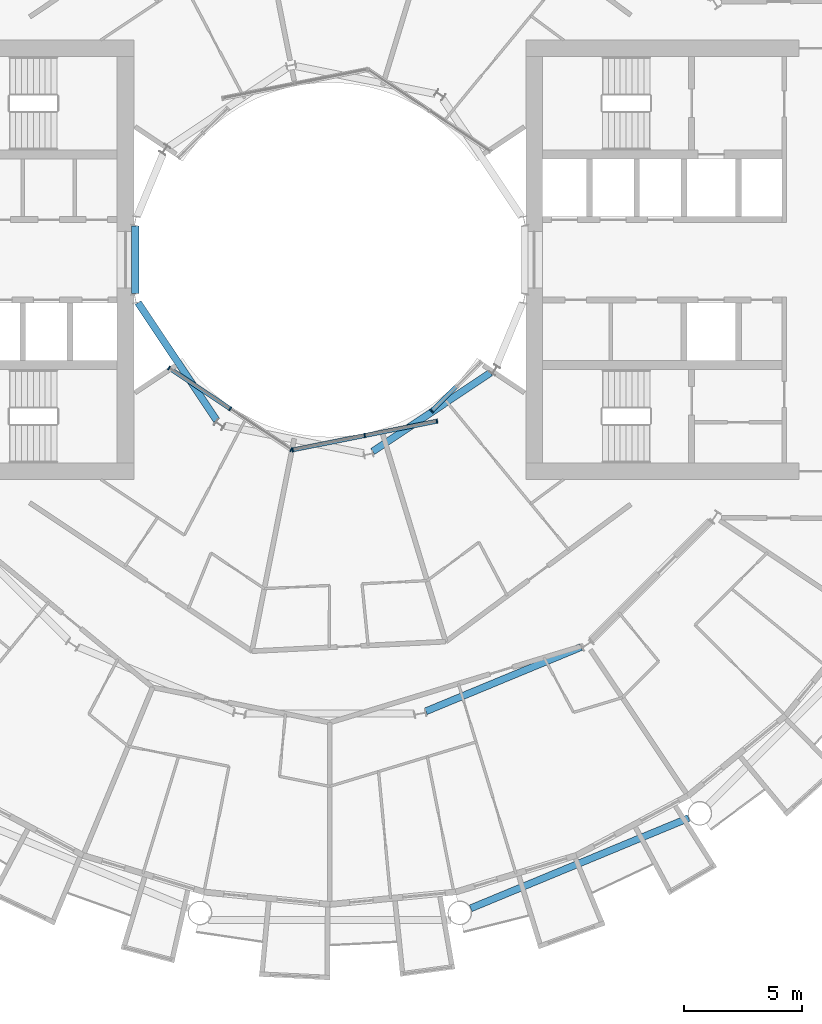
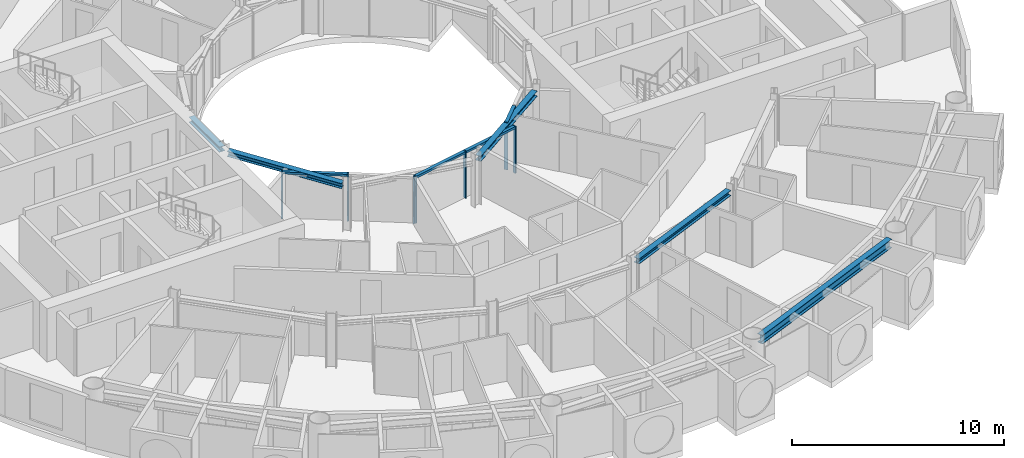
# One storey, part 5 of 26: 11 members, 5 beams, 3 elements without a shape of their own.
"""IFC4 building model written with IfcOpenShell, lengths in metres."""

from ifc_helpers import new_model, si_unit, direction, frame, origin, origin_2d, place, context, subcontext, project, spatial, rectangle, i_section, extrude, material, layer, layer_set, material_profile, profile_set, type_object, element, aggregate, save


model = new_model("IFC4")

# Units and contexts
model_context = context("Model", 3, precision=1e-05, world=origin(), true_north=direction((0.0, 1.0)))
body_context = subcontext(model_context, "Body", "Model", "MODEL_VIEW")
ifc_project = project(units=[si_unit("LENGTHUNIT", "METRE"), si_unit("AREAUNIT", "SQUARE_METRE"), si_unit("VOLUMEUNIT", "CUBIC_METRE"), si_unit("PLANEANGLEUNIT", "RADIAN"), si_unit("MASSUNIT", "GRAM", prefix="KILO")], contexts=[model_context])

# Site, building, storey
site_placement = place(None, origin())
site = spatial("IfcSite", under=ifc_project, at=site_placement, CompositionType="ELEMENT")
building_placement = place(site_placement, origin())
building = spatial("IfcBuilding", under=site, at=building_placement, Name="Maasbend Ring Residences", CompositionType="ELEMENT")
storey_placement = place(building_placement, frame((0.0, 0.0, 88.0)))
storey = spatial("IfcBuildingStorey", under=building, at=storey_placement, Name="L25", CompositionType="ELEMENT", Elevation=88.0)

# Curtain wall, members
ifc_material_1 = material(Name="Aluminium and clear glass", Category="aluminium")
ifc_layer = layer(ifc_material_1, 0.179931640625)
ifc_layer_set = layer_set([ifc_layer], Name="CW-W")
curtain_wall_type = type_object("IfcCurtainWallType", Name="CW-W", PredefinedType="NOTDEFINED", material=ifc_layer_set)
curtain_wall_1_placement = place(storey_placement, origin())
curtain_wall_1 = element("IfcCurtainWall", 1, at=curtain_wall_1_placement, inside=storey, type_object=curtain_wall_type, Name="Well curtain wall S1", PredefinedType="NOTDEFINED")
ifc_material_2 = material(Name="Aluminium 6063-T6", Category="aluminium")
ifc_material_profile_1 = material_profile(ifc_material_2, rectangle(XDim=0.179931640625, YDim=0.06005859375, at=origin_2d()), Name="AL 180x60")
ifc_profile_set_1 = profile_set([ifc_material_profile_1], Name="Aluminium 6063-T6")
member_type_1 = type_object("IfcMemberType", Name="CWM-W", PredefinedType="MULLION", material=ifc_profile_set_1)
member_1_placement = place(storey_placement, frame((-6.805908203125, -4.580810546875, 0.0), z_axis=(0.0, 0.0, 1.0), x_axis=(0.55557023302, 0.831469612303, 0.0)))
member_1 = element("IfcMember", 2, at=member_1_placement, type_object=member_type_1, Name="Mullion well face", PredefinedType="MULLION", context=body_context, shape_type="SweptSolid", body=[
    extrude(rectangle(XDim=0.179931640625, YDim=0.06005859375, at=origin_2d()), origin(), (0.0, 0.0, 1.0), 2.699951171875),
])
member_2_placement = place(storey_placement, frame((-4.216796875, -6.310791015625, 0.0), z_axis=(0.0, 0.0, 1.0), x_axis=(0.55557023302, 0.831469612303, 0.0)))
member_2 = element("IfcMember", 3, at=member_2_placement, type_object=member_type_1, Name="Mullion well face", PredefinedType="MULLION", context=body_context, shape_type="SweptSolid", body=[
    extrude(rectangle(XDim=0.179931640625, YDim=0.06005859375, at=origin_2d()), origin(), (0.0, 0.0, 1.0), 2.699951171875),
])
member_3_placement = place(storey_placement, frame((-1.627685546875, -8.040771484375, 0.0), z_axis=(0.0, 0.0, 1.0), x_axis=(0.55557023302, 0.831469612303, 0.0)))
member_3 = element("IfcMember", 4, at=member_3_placement, type_object=member_type_1, Name="Mullion well face", PredefinedType="MULLION", context=body_context, shape_type="SweptSolid", body=[
    extrude(rectangle(XDim=0.179931640625, YDim=0.06005859375, at=origin_2d()), origin(), (0.0, 0.0, 1.0), 2.699951171875),
])

curtain_wall_2_placement = place(storey_placement, origin())
curtain_wall_2 = element("IfcCurtainWall", 5, at=curtain_wall_2_placement, inside=storey, type_object=curtain_wall_type, Name="Well curtain wall S2", PredefinedType="NOTDEFINED")
member_4_placement = place(storey_placement, frame((-1.5732421875, -8.0517578125, 0.0), z_axis=(0.0, 0.0, 1.0), x_axis=(-0.195090322016, 0.980785280403, 0.0)))
member_4 = element("IfcMember", 6, at=member_4_placement, type_object=member_type_1, Name="Mullion well face", PredefinedType="MULLION", context=body_context, shape_type="SweptSolid", body=[
    extrude(rectangle(XDim=0.179931640625, YDim=0.06005859375, at=origin_2d()), origin(), (0.0, 0.0, 1.0), 2.699951171875),
])
member_5_placement = place(storey_placement, frame((1.480712890625, -7.444091796875, 0.0), z_axis=(0.0, 0.0, 1.0), x_axis=(-0.195090322016, 0.980785280403, 0.0)))
member_5 = element("IfcMember", 7, at=member_5_placement, type_object=member_type_1, Name="Mullion well face", PredefinedType="MULLION", context=body_context, shape_type="SweptSolid", body=[
    extrude(rectangle(XDim=0.179931640625, YDim=0.06005859375, at=origin_2d()), origin(), (0.0, 0.0, 1.0), 2.699951171875),
])
member_6_placement = place(storey_placement, frame((4.53466796875, -6.836669921875, 0.0), z_axis=(0.0, 0.0, 1.0), x_axis=(-0.195090322016, 0.980785280403, 0.0)))
member_6 = element("IfcMember", 8, at=member_6_placement, type_object=member_type_1, Name="Mullion well face", PredefinedType="MULLION", context=body_context, shape_type="SweptSolid", body=[
    extrude(rectangle(XDim=0.179931640625, YDim=0.06005859375, at=origin_2d()), origin(), (0.0, 0.0, 1.0), 2.699951171875),
])

# Curtain wall, member
curtain_wall_3_placement = place(storey_placement, origin())
curtain_wall_3 = element("IfcCurtainWall", 9, at=curtain_wall_3_placement, inside=storey, type_object=curtain_wall_type, Name="Well curtain wall S3", PredefinedType="NOTDEFINED")
member_7_placement = place(storey_placement, frame((4.320556640625, -6.413330078125, 0.0), z_axis=(0.0, 0.0, 1.0), x_axis=(-0.707106781187, 0.707106781187, 0.0)))
member_7 = element("IfcMember", 10, at=member_7_placement, type_object=member_type_1, Name="Mullion well face", PredefinedType="MULLION", context=body_context, shape_type="SweptSolid", body=[
    extrude(rectangle(XDim=0.179931640625, YDim=0.06005859375, at=origin_2d()), origin(), (0.0, 0.0, 1.0), 2.699951171875),
])

# Member
ifc_material_3 = material(Name="Aluminium 6063-T6", Category="aluminium")
ifc_material_profile_2 = material_profile(ifc_material_3, rectangle(XDim=0.179931640625, YDim=0.1201171875, at=origin_2d()), Name="AL 180x120")
ifc_profile_set_2 = profile_set([ifc_material_profile_2], Name="Aluminium 6063-T6")
member_type_2 = type_object("IfcMemberType", Name="CWT-W", PredefinedType="USERDEFINED", material=ifc_profile_set_2)
member_8_placement = place(storey_placement, frame((-6.781005859375, -4.59765625, 2.639892578125), z_axis=(0.831496422459, -0.555530106689, 0.0), x_axis=(0.555530106689, 0.831496422459, 0.0)))
member_8 = element("IfcMember", 11, at=member_8_placement, type_object=member_type_2, Name="Transom well face", ObjectType="TRANSOM", PredefinedType="USERDEFINED", context=body_context, shape_type="SweptSolid", body=[
    extrude(rectangle(XDim=0.179931640625, YDim=0.1201171875, at=origin_2d()), origin(), (0.0, 0.0, 1.0), 3.053955078125),
])

aggregate(curtain_wall_1, [member_1, member_2, member_3, member_8])

member_9_placement = place(storey_placement, frame((-1.5439453125, -8.0458984375, 2.639892578125), z_axis=(0.980776956105, 0.195132166424, 0.0), x_axis=(-0.195132166424, 0.980776956105, 0.0)))
member_9 = element("IfcMember", 12, at=member_9_placement, type_object=member_type_2, Name="Transom well face", ObjectType="TRANSOM", PredefinedType="USERDEFINED", context=body_context, shape_type="SweptSolid", body=[
    extrude(rectangle(XDim=0.179931640625, YDim=0.1201171875, at=origin_2d()), origin(), (0.0, 0.0, 1.0), 3.053955078125),
])

member_10_placement = place(storey_placement, frame((1.51025390625, -7.438232421875, 2.639892578125), z_axis=(0.980789210404, 0.19507056353, 0.0), x_axis=(-0.19507056353, 0.980789210404, 0.0)))
member_10 = element("IfcMember", 13, at=member_10_placement, type_object=member_type_2, Name="Transom well face", ObjectType="TRANSOM", PredefinedType="USERDEFINED", context=body_context, shape_type="SweptSolid", body=[
    extrude(rectangle(XDim=0.179931640625, YDim=0.1201171875, at=origin_2d()), origin(), (0.0, 0.0, 1.0), 3.0537109375),
])

aggregate(curtain_wall_2, [member_4, member_5, member_6, member_9, member_10])

member_11_placement = place(storey_placement, frame((4.341796875, -6.39208984375, 2.639892578125), z_axis=(0.707106781187, 0.707106781187, 0.0), x_axis=(-0.707106781187, 0.707106781187, 0.0)))
member_11 = element("IfcMember", 14, at=member_11_placement, type_object=member_type_2, Name="Transom well face", ObjectType="TRANSOM", PredefinedType="USERDEFINED", context=body_context, shape_type="SweptSolid", body=[
    extrude(rectangle(XDim=0.179931640625, YDim=0.1201171875, at=origin_2d()), origin(), (0.0, 0.0, 1.0), 1.419677734375),
])

aggregate(curtain_wall_3, [member_7, member_11])

# Beams
ifc_material_4 = material(Name="Steel S355J2", Category="steel")
ifc_material_profile_3 = material_profile(ifc_material_4, i_section(OverallWidth=0.300048828125, OverallDepth=0.300048828125, WebThickness=0.010986328125, FlangeThickness=0.01904296875, FilletRadius=0.027099609375, at=origin_2d()), Name="HEB 300")
ifc_profile_set_3 = profile_set([ifc_material_profile_3], Name="Steel S355J2")
beam_type_1 = type_object("IfcBeamType", Name="Corridor ring beam HEB 300", PredefinedType="BEAM", material=ifc_profile_set_3)
beam_1_placement = place(storey_placement, frame((4.070556640625, -19.12109375, 2.550048828125), z_axis=(0.923877113721, 0.382689271788, 0.0), x_axis=(-0.382689271788, 0.923877113721, 0.0)))
element("IfcBeam", 15, at=beam_1_placement, inside=storey, type_object=beam_type_1, Name="Corridor ring beam", PredefinedType="BEAM", context=body_context, shape_type="SweptSolid", body=[
    extrude(i_section(OverallWidth=0.300048828125, OverallDepth=0.300048828125, WebThickness=0.010986328125, FlangeThickness=0.01904296875, FilletRadius=0.027099609375, at=origin_2d()), origin(), (0.0, 0.0, 1.0), 7.11328125),
])
ifc_material_5 = material(Name="Steel S355J2", Category="steel")
ifc_material_profile_4 = material_profile(ifc_material_5, i_section(OverallWidth=0.300048828125, OverallDepth=0.5, WebThickness=0.014404296875, FlangeThickness=0.028076171875, FilletRadius=0.027099609375, at=origin_2d()), Name="HEB 500")
ifc_profile_set_4 = profile_set([ifc_material_profile_4], Name="Steel S355J2")
beam_type_2 = type_object("IfcBeamType", Name="Spandrel ring beam HEB 500", PredefinedType="SPANDREL", material=ifc_profile_set_4)
beam_2_placement = place(storey_placement, frame((5.970703125, -27.463623046875, 2.449951171875), z_axis=(0.923886337442, 0.382667003395, 0.0), x_axis=(-0.382667003395, 0.923886337442, 0.0)))
element("IfcBeam", 16, at=beam_2_placement, inside=storey, type_object=beam_type_2, Name="Spandrel ring beam", PredefinedType="SPANDREL", context=body_context, shape_type="SweptSolid", body=[
    extrude(i_section(OverallWidth=0.300048828125, OverallDepth=0.5, WebThickness=0.014404296875, FlangeThickness=0.028076171875, FilletRadius=0.027099609375, at=origin_2d()), origin(), (0.0, 0.0, 1.0), 9.9873046875),
])
ifc_material_6 = material(Name="Steel S355J2", Category="steel")
ifc_material_profile_5 = material_profile(ifc_material_6, i_section(OverallWidth=0.300048828125, OverallDepth=0.300048828125, WebThickness=0.010986328125, FlangeThickness=0.01904296875, FilletRadius=0.027099609375, at=origin_2d()), Name="HEB 300")
ifc_profile_set_5 = profile_set([ifc_material_profile_5], Name="Steel S355J2")
beam_type_3 = type_object("IfcBeamType", Name="Well edge beam HEB 300", PredefinedType="BEAM", material=ifc_profile_set_5)
beam_3_placement = place(storey_placement, frame((-8.238525390625, 1.434814453125, 2.550048828125), z_axis=(0.0, -1.0, 0.0), x_axis=(1.0, 0.0, 0.0)))
element("IfcBeam", 17, at=beam_3_placement, inside=storey, type_object=beam_type_3, Name="Well edge beam", PredefinedType="BEAM", context=body_context, shape_type="SweptSolid", body=[
    extrude(i_section(OverallWidth=0.300048828125, OverallDepth=0.300048828125, WebThickness=0.010986328125, FlangeThickness=0.01904296875, FilletRadius=0.027099609375, at=origin_2d()), origin(), (0.0, 0.0, 1.0), 2.86962890625),
])
for number, where, z_axis, x_axis, name in (
    (18, (-8.118408203125, -1.81884765625, 2.550048828125), (0.555592533493, -0.83145471117, 0.0), (0.83145471117, 0.555592533493, 0.0), "Well edge beam"),
    (19, (1.81884765625, -8.118408203125, 2.550048828125), (0.83145471117, 0.555592533493, 0.0), (-0.555592533493, 0.83145471117, 0.0), "Well edge beam"),
):
    element("IfcBeam", number, at=place(storey_placement, frame(where, z_axis=z_axis, x_axis=x_axis)), inside=storey, type_object=beam_type_3, Name=name, PredefinedType="BEAM", context=body_context, shape_type="SweptSolid", body=[
        extrude(i_section(OverallWidth=0.300048828125, OverallDepth=0.300048828125, WebThickness=0.010986328125, FlangeThickness=0.01904296875, FilletRadius=0.027099609375, at=origin_2d()), origin(), (0.0, 0.0, 1.0), 5.995849609375),
    ])

save(model, "model.ifc")
